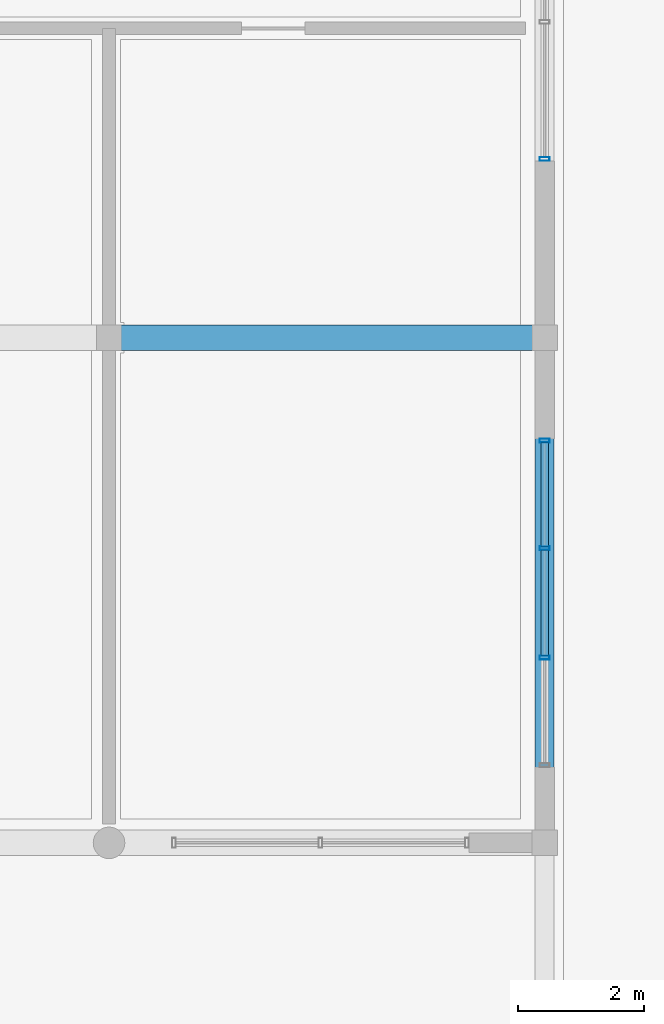
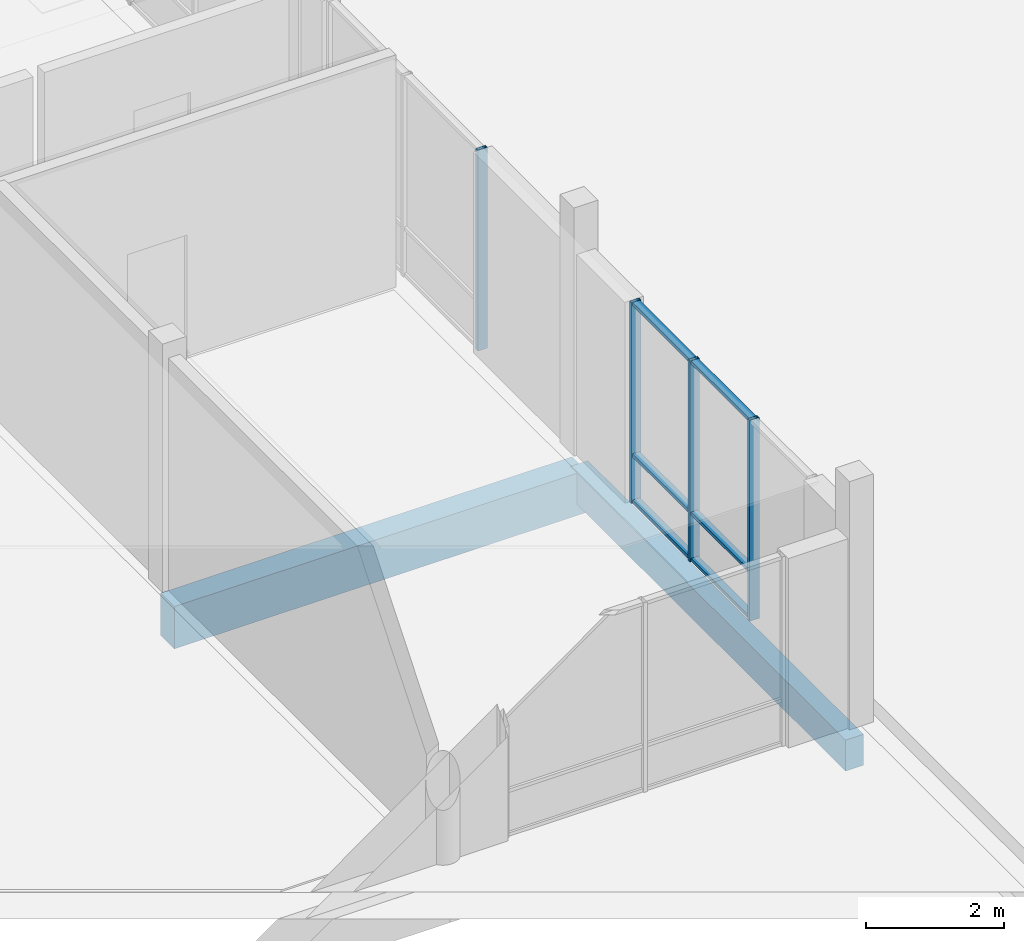
# One storey, part 87 of 233: 10 members, 2 beams, 2 elements without a shape of their own.
"""IFC4 building model written with IfcOpenShell, lengths in metres."""

from ifc_helpers import new_model, si_unit, direction, frame, origin, origin_2d, place, context, subcontext, project, spatial, rectangle, hollow_rectangle, extrude, material, material_profile, profile_set, type_object, element, aggregate, save


model = new_model("IFC4")

# Units and contexts
model_context = context("Model", 3, precision=1e-05, world=origin(), true_north=direction((0.0, 1.0)))
body_context = subcontext(model_context, "Body", "Model", "MODEL_VIEW")
ifc_project = project(units=[si_unit("LENGTHUNIT", "METRE"), si_unit("AREAUNIT", "SQUARE_METRE"), si_unit("VOLUMEUNIT", "CUBIC_METRE"), si_unit("PLANEANGLEUNIT", "RADIAN"), si_unit("MASSUNIT", "GRAM", prefix="KILO")], contexts=[model_context])

# Site, building, storey
site_placement = place(None, origin())
site = spatial("IfcSite", under=ifc_project, at=site_placement, CompositionType="ELEMENT")
building_placement = place(site_placement, origin())
building = spatial("IfcBuilding", under=site, at=building_placement, Name="Zavelmont Quarter", CompositionType="ELEMENT")
storey_placement = place(building_placement, origin())
storey = spatial("IfcBuildingStorey", under=building, at=storey_placement, Name="L00", CompositionType="ELEMENT", Elevation=0.0)

# Beams
ifc_material_1 = material(Name="Concrete C35/45", Category="concrete")
ifc_material_profile_1 = material_profile(ifc_material_1, rectangle(XDim=0.300048828125, YDim=0.550048828125, at=origin_2d()), Name="RC300X550")
ifc_profile_set_1 = profile_set([ifc_material_profile_1], Name="Concrete C35/45")
beam_type_1 = type_object("IfcBeamType", Name="BM02", PredefinedType="SPANDREL", material=ifc_profile_set_1)
beam_1_placement = place(storey_placement, frame((20.699951171875, 62.0, -0.594970703125), z_axis=(0.0, 1.0, 0.0), x_axis=(-1.0, 0.0, 0.0)))
element("IfcBeam", 1, at=beam_1_placement, inside=storey, type_object=beam_type_1, Name="L00 beam BM02 4/K to 4/L", PredefinedType="SPANDREL", context=body_context, shape_type="SweptSolid", body=[
    extrude(rectangle(XDim=0.300048828125, YDim=0.550048828125, at=origin_2d()), origin(), (0.0, 0.0, 1.0), 8.0),
])
ifc_material_2 = material(Name="Concrete C40/50", Category="concrete")
ifc_material_profile_2 = material_profile(ifc_material_2, rectangle(XDim=0.39990234375, YDim=0.75, at=origin_2d()), Name="RC400X750")
ifc_profile_set_2 = profile_set([ifc_material_profile_2], Name="Concrete C40/50")
beam_type_2 = type_object("IfcBeamType", Name="BM05", PredefinedType="BEAM", material=ifc_profile_set_2)
beam_2_placement = place(storey_placement, frame((13.800048828125, 70.0, -0.695068359375), z_axis=(1.0, 0.0, 0.0), x_axis=(0.0, 1.0, 0.0)))
element("IfcBeam", 2, at=beam_2_placement, inside=storey, type_object=beam_type_2, Name="L00 beam BM05 3/L to 4/L", PredefinedType="BEAM", context=body_context, shape_type="SweptSolid", body=[
    extrude(rectangle(XDim=0.39990234375, YDim=0.75, at=origin_2d()), origin(), (0.0, 0.0, 1.0), 6.89990234375),
])

# Curtain wall, members
ifc_material_3 = material(Name="Thermally broken aluminium and double low-E safety glazing", Category="aluminium")
curtain_wall_type_1 = type_object("IfcCurtainWallType", Name="CW-520X356", PredefinedType="NOTDEFINED", material=ifc_material_3)
curtain_wall_1_placement = place(storey_placement, origin())
curtain_wall_1 = element("IfcCurtainWall", 3, at=curtain_wall_1_placement, inside=storey, type_object=curtain_wall_type_1, Name="L00 unitised curtain wall CW-520X356", PredefinedType="NOTDEFINED")
ifc_material_4 = material(Name="Powder-coated aluminium EN AW-6063-T6", Category="aluminium")
ifc_material_profile_3 = material_profile(ifc_material_4, hollow_rectangle(XDim=0.06005859375, YDim=0.159912109375, WallThickness=0.00390625, at=origin_2d()), Name="CWM60X160")
ifc_profile_set_3 = profile_set([ifc_material_profile_3], Name="Powder-coated aluminium EN AW-6063-T6")
member_type_1 = type_object("IfcMemberType", Name="CWM01", PredefinedType="MULLION", material=ifc_profile_set_3)
member_1_placement = place(storey_placement, frame((20.699951171875, 64.933349609375, 0.0), z_axis=(0.0, 0.0, 1.0), x_axis=(0.0, 1.0, 0.0)))
member_1 = element("IfcMember", 4, at=member_1_placement, type_object=member_type_1, Name="CW-520X356 mullion 2", PredefinedType="MULLION", context=body_context, shape_type="SweptSolid", body=[
    extrude(hollow_rectangle(XDim=0.06005859375, YDim=0.159912109375, WallThickness=0.00390625, at=origin_2d()), origin(), (0.0, 0.0, 1.0), 3.56005859375),
])
member_2_placement = place(storey_placement, frame((20.699951171875, 66.666748046875, 0.0), z_axis=(0.0, 0.0, 1.0), x_axis=(0.0, 1.0, 0.0)))
member_2 = element("IfcMember", 5, at=member_2_placement, type_object=member_type_1, Name="CW-520X356 mullion 3", PredefinedType="MULLION", context=body_context, shape_type="SweptSolid", body=[
    extrude(hollow_rectangle(XDim=0.06005859375, YDim=0.159912109375, WallThickness=0.00390625, at=origin_2d()), origin(), (0.0, 0.0, 1.0), 3.56005859375),
])
member_3_placement = place(storey_placement, frame((20.699951171875, 68.3701171875, 0.0), z_axis=(0.0, 0.0, 1.0), x_axis=(0.0, 1.0, 0.0)))
member_3 = element("IfcMember", 6, at=member_3_placement, type_object=member_type_1, Name="CW-520X356 mullion 4", PredefinedType="MULLION", context=body_context, shape_type="SweptSolid", body=[
    extrude(hollow_rectangle(XDim=0.06005859375, YDim=0.159912109375, WallThickness=0.00390625, at=origin_2d()), origin(), (0.0, 0.0, 1.0), 3.56005859375),
])

# Curtain wall, member
curtain_wall_type_2 = type_object("IfcCurtainWallType", Name="CW-440X356", PredefinedType="NOTDEFINED", material=ifc_material_3)
curtain_wall_2_placement = place(storey_placement, origin())
curtain_wall_2 = element("IfcCurtainWall", 7, at=curtain_wall_2_placement, inside=storey, type_object=curtain_wall_type_2, Name="L00 unitised curtain wall CW-440X356", PredefinedType="NOTDEFINED")
member_4_placement = place(storey_placement, frame((20.699951171875, 72.830078125, 0.0), z_axis=(0.0, 0.0, 1.0), x_axis=(0.0, 1.0, 0.0)))
member_4 = element("IfcMember", 8, at=member_4_placement, type_object=member_type_1, Name="CW-440X356 mullion 1", PredefinedType="MULLION", context=body_context, shape_type="SweptSolid", body=[
    extrude(hollow_rectangle(XDim=0.06005859375, YDim=0.159912109375, WallThickness=0.00390625, at=origin_2d()), origin(), (0.0, 0.0, 1.0), 3.56005859375),
])
aggregate(curtain_wall_2, [member_4])

# Member
ifc_material_profile_4 = material_profile(ifc_material_4, hollow_rectangle(XDim=0.1201171875, YDim=0.06005859375, WallThickness=0.00390625, at=origin_2d()), Name="CWT60X120")
ifc_profile_set_4 = profile_set([ifc_material_profile_4], Name="Powder-coated aluminium EN AW-6063-T6")
member_type_2 = type_object("IfcMemberType", Name="CWT01", PredefinedType="NOTDEFINED", material=ifc_profile_set_4)
member_5_placement = place(storey_placement, frame((20.699951171875, 64.96337890625, 0.030029296875), z_axis=(0.0, 1.0, 0.0), x_axis=(-1.0, 0.0, 0.0)))
member_5 = element("IfcMember", 9, at=member_5_placement, type_object=member_type_2, Name="CW-520X356 transom 2.1", ObjectType="TRANSOM", PredefinedType="USERDEFINED", context=body_context, shape_type="SweptSolid", body=[
    extrude(hollow_rectangle(XDim=0.1201171875, YDim=0.06005859375, WallThickness=0.00390625, at=origin_2d()), origin(), (0.0, 0.0, 1.0), 1.67333984375),
])

member_6_placement = place(storey_placement, frame((20.699951171875, 64.96337890625, 0.85009765625), z_axis=(0.0, 1.0, 0.0), x_axis=(-1.0, 0.0, 0.0)))
member_6 = element("IfcMember", 10, at=member_6_placement, type_object=member_type_2, Name="CW-520X356 transom 2.2", ObjectType="TRANSOM", PredefinedType="USERDEFINED", context=body_context, shape_type="SweptSolid", body=[
    extrude(hollow_rectangle(XDim=0.1201171875, YDim=0.06005859375, WallThickness=0.00390625, at=origin_2d()), origin(), (0.0, 0.0, 1.0), 1.67333984375),
])

member_7_placement = place(storey_placement, frame((20.699951171875, 64.96337890625, 3.530029296875), z_axis=(0.0, 1.0, 0.0), x_axis=(-1.0, 0.0, 0.0)))
member_7 = element("IfcMember", 11, at=member_7_placement, type_object=member_type_2, Name="CW-520X356 transom 2.3", ObjectType="TRANSOM", PredefinedType="USERDEFINED", context=body_context, shape_type="SweptSolid", body=[
    extrude(hollow_rectangle(XDim=0.1201171875, YDim=0.06005859375, WallThickness=0.00390625, at=origin_2d()), origin(), (0.0, 0.0, 1.0), 1.67333984375),
])

member_8_placement = place(storey_placement, frame((20.699951171875, 66.69677734375, 0.030029296875), z_axis=(0.0, 1.0, 0.0), x_axis=(-1.0, 0.0, 0.0)))
member_8 = element("IfcMember", 12, at=member_8_placement, type_object=member_type_2, Name="CW-520X356 transom 3.1", ObjectType="TRANSOM", PredefinedType="USERDEFINED", context=body_context, shape_type="SweptSolid", body=[
    extrude(hollow_rectangle(XDim=0.1201171875, YDim=0.06005859375, WallThickness=0.00390625, at=origin_2d()), origin(), (0.0, 0.0, 1.0), 1.643310546875),
])

member_9_placement = place(storey_placement, frame((20.699951171875, 66.69677734375, 0.85009765625), z_axis=(0.0, 1.0, 0.0), x_axis=(-1.0, 0.0, 0.0)))
member_9 = element("IfcMember", 13, at=member_9_placement, type_object=member_type_2, Name="CW-520X356 transom 3.2", ObjectType="TRANSOM", PredefinedType="USERDEFINED", context=body_context, shape_type="SweptSolid", body=[
    extrude(hollow_rectangle(XDim=0.1201171875, YDim=0.06005859375, WallThickness=0.00390625, at=origin_2d()), origin(), (0.0, 0.0, 1.0), 1.643310546875),
])

member_10_placement = place(storey_placement, frame((20.699951171875, 66.69677734375, 3.530029296875), z_axis=(0.0, 1.0, 0.0), x_axis=(-1.0, 0.0, 0.0)))
member_10 = element("IfcMember", 14, at=member_10_placement, type_object=member_type_2, Name="CW-520X356 transom 3.3", ObjectType="TRANSOM", PredefinedType="USERDEFINED", context=body_context, shape_type="SweptSolid", body=[
    extrude(hollow_rectangle(XDim=0.1201171875, YDim=0.06005859375, WallThickness=0.00390625, at=origin_2d()), origin(), (0.0, 0.0, 1.0), 1.643310546875),
])

aggregate(curtain_wall_1, [member_1, member_2, member_3, member_5, member_6, member_7, member_8, member_9, member_10])

save(model, "model.ifc")
